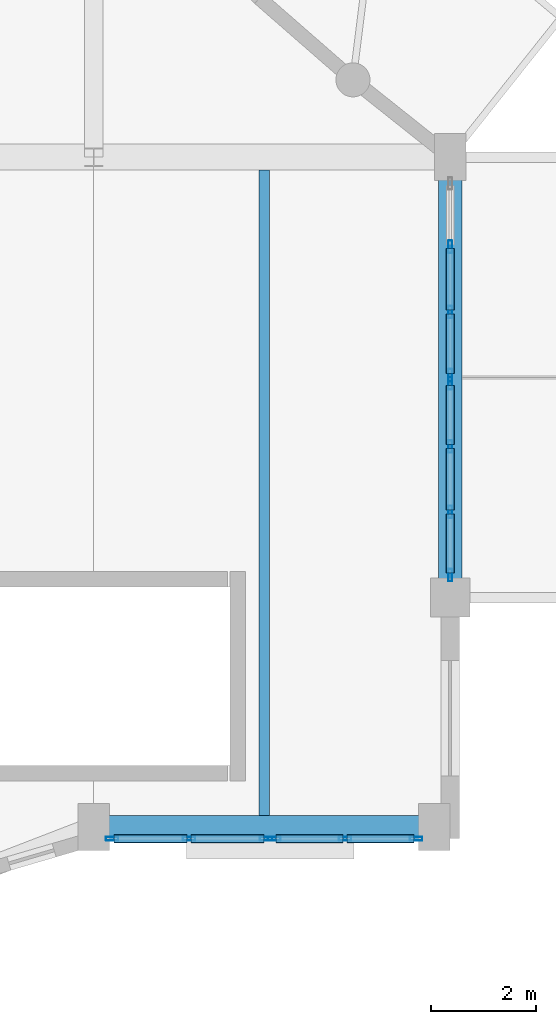
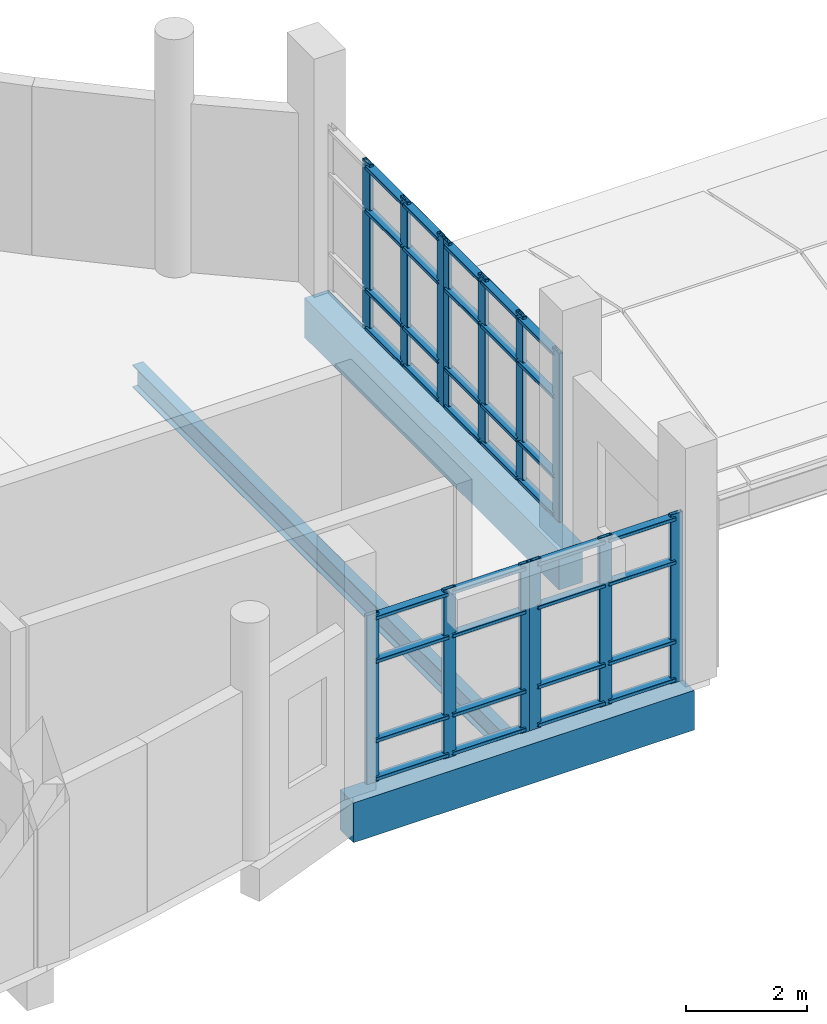
# One storey, part 10 of 106: 49 members, 3 beams, 4 elements without a shape of their own.
"""IFC4 building model written with IfcOpenShell, lengths in metres."""

import ifcopenshell
import ifcopenshell.guid

model = None  # the IFC model being written
_history = None  # IfcOwnerHistory: only IFC2X3 demands one
_inside = {}  # id of a spatial element -> (the spatial element, [elements in it])
_under = {}  # id of a project, library or spatial element -> (it, [spatial elements below it])
_declared = {}  # id of a project -> (the project, [libraries it declares])
_typed = {}  # id of a type object -> (the type object, [elements of that type])
_made_of = {}  # id of a material, layer set ... -> (it, [elements and type objects made of it])


def new_model(schema):
    """Start an empty IFC model of exactly this schema.

    Asked for "IFC4X3", IfcOpenShell would pick the latest addendum, in which some entities
    have other attributes; the version numbers below select the first issue.
    IFC2X3 requires an IfcOwnerHistory on every rooted entity: one is made here for all.
    """
    global model, _history
    if schema == "IFC4X3":
        model = ifcopenshell.file(schema_version=(4, 3, 0, 0))
    else:
        model = ifcopenshell.file(schema=schema)
    _inside.clear()
    _under.clear()
    _declared.clear()
    _typed.clear()
    _made_of.clear()
    _history = None
    if model.schema == "IFC2X3":
        org = make("IfcOrganization", Name="unknown")
        user = make(
            "IfcPersonAndOrganization",
            ThePerson=make("IfcPerson", FamilyName="unknown"),
            TheOrganization=org,
        )
        app = make(
            "IfcApplication",
            ApplicationDeveloper=org,
            Version="unknown",
            ApplicationFullName="unknown",
            ApplicationIdentifier="unknown",
        )
        _history = make(
            "IfcOwnerHistory",
            OwningUser=user,
            OwningApplication=app,
            ChangeAction="ADDED",
            CreationDate=0,
        )
    return model


def make(cls, **values):
    """One entity of the class cls with the attributes given. An attribute that is None is left unset."""
    return model.create_entity(
        cls, **{name: value for name, value in values.items() if value is not None}
    )


def rooted(cls, **values):
    """An entity with a GlobalId (a new one), such as an element, a storey or a relation."""
    return make(cls, GlobalId=ifcopenshell.guid.new(), OwnerHistory=_history, **values)


def si_unit(unit_type, name, prefix=None):
    """IfcSIUnit, for example si_unit("LENGTHUNIT", "METRE", prefix="MILLI")."""
    return make("IfcSIUnit", UnitType=unit_type, Prefix=prefix, Name=name)


def assignment(units):
    """IfcUnitAssignment: the units of a project."""
    return None if units is None else make("IfcUnitAssignment", Units=units)


def point(xyz):
    """IfcCartesianPoint."""
    return None if xyz is None else make("IfcCartesianPoint", Coordinates=xyz)


def direction(xyz):
    """IfcDirection."""
    return None if xyz is None else make("IfcDirection", DirectionRatios=xyz)


def frame(location, z_axis=None, x_axis=None):
    """IfcAxis2Placement3D, a coordinate frame: its origin and axes. An axis left out is left unset."""
    return make(
        "IfcAxis2Placement3D",
        Location=point(location),
        Axis=direction(z_axis),
        RefDirection=direction(x_axis),
    )


def frame_2d(location, x_axis=None):
    """IfcAxis2Placement2D, a coordinate frame in the plane: its origin and x axis."""
    return make(
        "IfcAxis2Placement2D", Location=point(location), RefDirection=direction(x_axis)
    )


def origin():
    """The frame at (0, 0, 0) with its axes left unset."""
    return frame((0.0, 0.0, 0.0))


def origin_2d():
    """The frame at (0, 0) in the plane with its x axis left unset."""
    return frame_2d((0.0, 0.0))


def place(relative_to, where):
    """IfcLocalPlacement: puts the frame where relative to a parent placement (None: the world)."""
    return make(
        "IfcLocalPlacement", PlacementRelTo=relative_to, RelativePlacement=where
    )


def context(
    kind, dimensions, precision=None, world=None, true_north=None, identifier=None
):
    """IfcGeometricRepresentationContext, for example the 3D "Model" context."""
    return make(
        "IfcGeometricRepresentationContext",
        ContextIdentifier=identifier,
        ContextType=kind,
        CoordinateSpaceDimension=dimensions,
        Precision=precision,
        WorldCoordinateSystem=world,
        TrueNorth=true_north,
    )


def subcontext(parent, identifier, kind, view, scale=None):
    """IfcGeometricRepresentationSubContext, for example "Body" below "Model"."""
    return make(
        "IfcGeometricRepresentationSubContext",
        ContextIdentifier=identifier,
        ContextType=kind,
        ParentContext=parent,
        TargetScale=scale,
        TargetView=view,
    )


def project(units=None, contexts=None):
    """IfcProject with its units and contexts."""
    return rooted(
        "IfcProject",
        Name="project",
        RepresentationContexts=contexts,
        UnitsInContext=assignment(units),
    )


def spatial(cls, under=None, at=None, **own):
    """A site, building, storey or space (cls), placed at a placement, below another one or the project."""
    s = rooted(cls, ObjectPlacement=at, **own)
    if under is not None:
        _under.setdefault(under.id(), (under, []))[1].append(s)
    return s


def profile(cls, at=None, kind="AREA", **sizes):
    """A parametric profile (cls). Its sizes go by their IFC names, for example OverallWidth=200.0."""
    return make(cls, ProfileType=kind, Position=at, **sizes)


def rectangle(**sizes):
    """IfcRectangleProfileDef."""
    return profile("IfcRectangleProfileDef", **sizes)


def hollow_rectangle(**sizes):
    """IfcRectangleHollowProfileDef."""
    return profile("IfcRectangleHollowProfileDef", **sizes)


def i_section(**sizes):
    """IfcIShapeProfileDef."""
    return profile("IfcIShapeProfileDef", **sizes)


def extrude(swept, where, along, depth):
    """IfcExtrudedAreaSolid: the profile swept, set in the frame where, extruded along a direction by depth."""
    return make(
        "IfcExtrudedAreaSolid",
        SweptArea=swept,
        Position=where,
        ExtrudedDirection=direction(along),
        Depth=depth,
    )


def shape(context_of_items, identifier, shape_type, items):
    """IfcShapeRepresentation: the items that make up one representation, for example the "Body"."""
    return make(
        "IfcShapeRepresentation",
        ContextOfItems=context_of_items,
        RepresentationIdentifier=identifier,
        RepresentationType=shape_type,
        Items=items,
    )


def material(Name=None, Category=None):
    """IfcMaterial."""
    return make("IfcMaterial", Name=Name, Category=Category)


def layer(
    of_material, thickness, ventilated=None, Name=None, Category=None, Priority=None
):
    """IfcMaterialLayer: one layer of a wall or slab, of a material (None: an air gap)."""
    return make(
        "IfcMaterialLayer",
        Material=of_material,
        LayerThickness=thickness,
        IsVentilated=ventilated,
        Name=Name,
        Category=Category,
        Priority=Priority,
    )


def layer_set(layers, Name=None):
    """IfcMaterialLayerSet."""
    return make("IfcMaterialLayerSet", MaterialLayers=layers, LayerSetName=Name)


def material_profile(
    of_material, cross_section, Name=None, Category=None, Priority=None
):
    """IfcMaterialProfile: a cross section and its material."""
    return make(
        "IfcMaterialProfile",
        Name=Name,
        Material=of_material,
        Profile=cross_section,
        Priority=Priority,
        Category=Category,
    )


def profile_set(profiles, Name=None, composite=None):
    """IfcMaterialProfileSet."""
    return make(
        "IfcMaterialProfileSet",
        Name=Name,
        MaterialProfiles=profiles,
        CompositeProfile=composite,
    )


def made_of(thing, what):
    """Note that an element or type object is made of a material, layer set ...; save() writes the relation."""
    if what is not None:
        _made_of.setdefault(what.id(), (what, []))[1].append(thing)
    return thing


def type_object(cls, material=None, **own):
    """A type object (cls), such as IfcWallType, which elements share."""
    return made_of(rooted(cls, **own), material)


def element(
    cls,
    number,
    at=None,
    inside=None,
    cuts=None,
    type_object=None,
    material=None,
    context=None,
    identifier="Body",
    shape_type=None,
    held_by="IfcProductDefinitionShape",
    body=None,
    shapes=None,
    **own,
):
    """One element of the class cls, such as IfcWall. Its Tag is "e" and its number.

    at: its placement. inside: the storey or other place that contains it. cuts: it is an
    opening in that element (IfcRelVoidsElement). A single representation is given by context,
    identifier, shape_type and body (its items); several are given by shapes. held_by: the class
    of the entity that holds the representations. save() writes the other relations.
    """
    e = rooted(cls, Tag="e%d" % number, ObjectPlacement=at, **own)
    if body is not None:
        shapes = [shape(context, identifier, shape_type, body)]
    if shapes is not None:
        e.Representation = make(held_by, Representations=shapes)
    if inside is not None:
        _inside.setdefault(inside.id(), (inside, []))[1].append(e)
    if cuts is not None:
        rooted(
            "IfcRelVoidsElement", RelatingBuildingElement=cuts, RelatedOpeningElement=e
        )
    if type_object is not None:
        _typed.setdefault(type_object.id(), (type_object, []))[1].append(e)
    return made_of(e, material)


def aggregate(whole, parts):
    """IfcRelAggregates: a whole, such as a stair, and the parts it consists of."""
    return rooted("IfcRelAggregates", RelatingObject=whole, RelatedObjects=parts)


def save(model, path):
    """Write the relations noted so far, then the file.

    IfcRelAggregates (storeys below a building ...), IfcRelContainedInSpatialStructure (elements
    in a storey), IfcRelDefinesByType, IfcRelAssociatesMaterial and IfcRelDeclares: one each for
    every whole, place, type object, material and project.
    """
    for whole, parts in _under.values():
        aggregate(whole, parts)
    for where, things in _inside.values():
        rooted(
            "IfcRelContainedInSpatialStructure",
            RelatedElements=things,
            RelatingStructure=where,
        )
    for kind, things in _typed.values():
        rooted("IfcRelDefinesByType", RelatedObjects=things, RelatingType=kind)
    for what, things in _made_of.values():
        rooted("IfcRelAssociatesMaterial", RelatedObjects=things, RelatingMaterial=what)
    for by, libraries in _declared.values():
        rooted("IfcRelDeclares", RelatingContext=by, RelatedDefinitions=libraries)
    model.write(path)


model = new_model("IFC4")

# Units and contexts
model_context = context("Model", 3, precision=1e-05, world=origin(), true_north=direction((0.0, 1.0)))
body_context = subcontext(model_context, "Body", "Model", "MODEL_VIEW")
ifc_project = project(units=[si_unit("LENGTHUNIT", "METRE"), si_unit("AREAUNIT", "SQUARE_METRE"), si_unit("VOLUMEUNIT", "CUBIC_METRE"), si_unit("PLANEANGLEUNIT", "RADIAN"), si_unit("MASSUNIT", "GRAM", prefix="KILO")], contexts=[model_context])

# Site, building, storey
site_placement = place(None, origin())
site = spatial("IfcSite", under=ifc_project, at=site_placement, CompositionType="ELEMENT")
building_placement = place(site_placement, origin())
building = spatial("IfcBuilding", under=site, at=building_placement, Name="Kisaragi Civic Commons", CompositionType="ELEMENT")
storey_placement = place(building_placement, frame((0.0, 0.0, 4.800048828125)))
storey = spatial("IfcBuildingStorey", under=building, at=storey_placement, Name="L01", CompositionType="ELEMENT", Elevation=4.800048828125)

# Curtain wall, members
ifc_material_1 = material(Name="Thermally broken anodized aluminium and low-E double glazing", Category="aluminium")
ifc_layer = layer(ifc_material_1, 0.2099609375, Name="Thermally broken anodized aluminium and low-E double glazing", Category="aluminium")
ifc_layer_set = layer_set([ifc_layer], Name="Thermally broken anodized aluminium and low-E double glazing")
curtain_wall_type = type_object("IfcCurtainWallType", Name="CW-02", PredefinedType="NOTDEFINED", material=ifc_layer_set)
curtain_wall_1_placement = place(storey_placement, origin())
curtain_wall_1 = element("IfcCurtainWall", 1, at=curtain_wall_1_placement, inside=storey, type_object=curtain_wall_type, Name="L01 curtain wall CW-02 CW-V1-L01-001", PredefinedType="NOTDEFINED")
ifc_material_profile_1 = material_profile(ifc_material_1, hollow_rectangle(XDim=0.074951171875, YDim=0.239990234375, WallThickness=0.006103515625, InnerFilletRadius=0.006103515625, OuterFilletRadius=0.011962890625, at=origin_2d()), Name="CWM-75x240x6", Category="aluminium")
ifc_profile_set_1 = profile_set([ifc_material_profile_1], Name="Thermally broken anodized aluminium and low-E double glazing")
member_type_1 = type_object("IfcMemberType", Name="CWM-04", PredefinedType="MULLION", material=ifc_profile_set_1)
member_1_placement = place(storey_placement, frame((47.60009765625, 15.0908203125, 0.0), z_axis=(0.0, 0.0, 1.0), x_axis=(1.0, 0.0, 0.0)))
member_1 = element("IfcMember", 2, at=member_1_placement, type_object=member_type_1, Name="CW-02 mullion 2", PredefinedType="MULLION", context=body_context, shape_type="SweptSolid", body=[
    extrude(hollow_rectangle(XDim=0.074951171875, YDim=0.239990234375, WallThickness=0.006103515625, InnerFilletRadius=0.006103515625, OuterFilletRadius=0.011962890625, at=origin_2d()), origin(), (0.0, 0.0, 1.0), 3.405029296875),
])
member_2_placement = place(storey_placement, frame((47.60009765625, 13.8466796875, 0.0), z_axis=(0.0, 0.0, 1.0), x_axis=(1.0, 0.0, 0.0)))
member_2 = element("IfcMember", 3, at=member_2_placement, type_object=member_type_1, Name="CW-02 mullion 3", PredefinedType="MULLION", context=body_context, shape_type="SweptSolid", body=[
    extrude(hollow_rectangle(XDim=0.074951171875, YDim=0.239990234375, WallThickness=0.006103515625, InnerFilletRadius=0.006103515625, OuterFilletRadius=0.011962890625, at=origin_2d()), origin(), (0.0, 0.0, 1.0), 3.405029296875),
])
member_3_placement = place(storey_placement, frame((47.60009765625, 12.639892578125, 0.0), z_axis=(0.0, 0.0, 1.0), x_axis=(1.0, 0.0, 0.0)))
member_3 = element("IfcMember", 4, at=member_3_placement, type_object=member_type_1, Name="CW-02 mullion 4", PredefinedType="MULLION", context=body_context, shape_type="SweptSolid", body=[
    extrude(hollow_rectangle(XDim=0.074951171875, YDim=0.239990234375, WallThickness=0.006103515625, InnerFilletRadius=0.006103515625, OuterFilletRadius=0.011962890625, at=origin_2d()), origin(), (0.0, 0.0, 1.0), 3.405029296875),
])

curtain_wall_2_placement = place(storey_placement, origin())
curtain_wall_2 = element("IfcCurtainWall", 5, at=curtain_wall_2_placement, inside=storey, type_object=curtain_wall_type, Name="L01 curtain wall CW-02 CW-V1-L01-002", PredefinedType="NOTDEFINED")
member_4_placement = place(storey_placement, frame((47.60009765625, 12.485107421875, 0.0), z_axis=(0.0, 0.0, 1.0), x_axis=(1.0, 0.0, 0.0)))
member_4 = element("IfcMember", 6, at=member_4_placement, type_object=member_type_1, Name="CW-02 mullion 1", PredefinedType="MULLION", context=body_context, shape_type="SweptSolid", body=[
    extrude(hollow_rectangle(XDim=0.074951171875, YDim=0.239990234375, WallThickness=0.006103515625, InnerFilletRadius=0.006103515625, OuterFilletRadius=0.011962890625, at=origin_2d()), origin(), (0.0, 0.0, 1.0), 3.405029296875),
])
member_5_placement = place(storey_placement, frame((47.60009765625, 11.2783203125, 0.0), z_axis=(0.0, 0.0, 1.0), x_axis=(1.0, 0.0, 0.0)))
member_5 = element("IfcMember", 7, at=member_5_placement, type_object=member_type_1, Name="CW-02 mullion 2", PredefinedType="MULLION", context=body_context, shape_type="SweptSolid", body=[
    extrude(hollow_rectangle(XDim=0.074951171875, YDim=0.239990234375, WallThickness=0.006103515625, InnerFilletRadius=0.006103515625, OuterFilletRadius=0.011962890625, at=origin_2d()), origin(), (0.0, 0.0, 1.0), 3.405029296875),
])
member_6_placement = place(storey_placement, frame((47.60009765625, 10.0341796875, 0.0), z_axis=(0.0, 0.0, 1.0), x_axis=(1.0, 0.0, 0.0)))
member_6 = element("IfcMember", 8, at=member_6_placement, type_object=member_type_1, Name="CW-02 mullion 3", PredefinedType="MULLION", context=body_context, shape_type="SweptSolid", body=[
    extrude(hollow_rectangle(XDim=0.074951171875, YDim=0.239990234375, WallThickness=0.006103515625, InnerFilletRadius=0.006103515625, OuterFilletRadius=0.011962890625, at=origin_2d()), origin(), (0.0, 0.0, 1.0), 3.405029296875),
])
member_7_placement = place(storey_placement, frame((47.60009765625, 8.827392578125, 0.0), z_axis=(0.0, 0.0, 1.0), x_axis=(1.0, 0.0, 0.0)))
member_7 = element("IfcMember", 9, at=member_7_placement, type_object=member_type_1, Name="CW-02 mullion 4", PredefinedType="MULLION", context=body_context, shape_type="SweptSolid", body=[
    extrude(hollow_rectangle(XDim=0.074951171875, YDim=0.239990234375, WallThickness=0.006103515625, InnerFilletRadius=0.006103515625, OuterFilletRadius=0.011962890625, at=origin_2d()), origin(), (0.0, 0.0, 1.0), 3.405029296875),
])

curtain_wall_3_placement = place(storey_placement, origin())
curtain_wall_3 = element("IfcCurtainWall", 10, at=curtain_wall_3_placement, inside=storey, type_object=curtain_wall_type, Name="L01 curtain wall CW-02 CW-V1-L01-003", PredefinedType="NOTDEFINED")
member_8_placement = place(storey_placement, frame((46.950439453125, 3.800048828125, 0.0), z_axis=(0.0, 0.0, 1.0), x_axis=(0.0, -1.0, 0.0)))
member_8 = element("IfcMember", 11, at=member_8_placement, type_object=member_type_1, Name="CW-02 mullion 1", PredefinedType="MULLION", context=body_context, shape_type="SweptSolid", body=[
    extrude(hollow_rectangle(XDim=0.074951171875, YDim=0.239990234375, WallThickness=0.006103515625, InnerFilletRadius=0.006103515625, OuterFilletRadius=0.011962890625, at=origin_2d()), origin(), (0.0, 0.0, 1.0), 3.405029296875),
])
member_9_placement = place(storey_placement, frame((45.59765625, 3.800048828125, 0.0), z_axis=(0.0, 0.0, 1.0), x_axis=(0.0, -1.0, 0.0)))
member_9 = element("IfcMember", 12, at=member_9_placement, type_object=member_type_1, Name="CW-02 mullion 2", PredefinedType="MULLION", context=body_context, shape_type="SweptSolid", body=[
    extrude(hollow_rectangle(XDim=0.074951171875, YDim=0.239990234375, WallThickness=0.006103515625, InnerFilletRadius=0.006103515625, OuterFilletRadius=0.011962890625, at=origin_2d()), origin(), (0.0, 0.0, 1.0), 3.405029296875),
])
member_10_placement = place(storey_placement, frame((44.2451171875, 3.800048828125, 0.0), z_axis=(0.0, 0.0, 1.0), x_axis=(0.0, -1.0, 0.0)))
member_10 = element("IfcMember", 13, at=member_10_placement, type_object=member_type_1, Name="CW-02 mullion 3", PredefinedType="MULLION", context=body_context, shape_type="SweptSolid", body=[
    extrude(hollow_rectangle(XDim=0.074951171875, YDim=0.239990234375, WallThickness=0.006103515625, InnerFilletRadius=0.006103515625, OuterFilletRadius=0.011962890625, at=origin_2d()), origin(), (0.0, 0.0, 1.0), 3.405029296875),
])

curtain_wall_4_placement = place(storey_placement, origin())
curtain_wall_4 = element("IfcCurtainWall", 14, at=curtain_wall_4_placement, inside=storey, type_object=curtain_wall_type, Name="L01 curtain wall CW-02 CW-V1-L01-004", PredefinedType="NOTDEFINED")
member_11_placement = place(storey_placement, frame((44.090087890625, 3.800048828125, 0.0), z_axis=(0.0, 0.0, 1.0), x_axis=(0.0, -1.0, 0.0)))
member_11 = element("IfcMember", 15, at=member_11_placement, type_object=member_type_1, Name="CW-02 mullion 1", PredefinedType="MULLION", context=body_context, shape_type="SweptSolid", body=[
    extrude(hollow_rectangle(XDim=0.074951171875, YDim=0.239990234375, WallThickness=0.006103515625, InnerFilletRadius=0.006103515625, OuterFilletRadius=0.011962890625, at=origin_2d()), origin(), (0.0, 0.0, 1.0), 3.405029296875),
])
member_12_placement = place(storey_placement, frame((42.621337890625, 3.800048828125, 0.0), z_axis=(0.0, 0.0, 1.0), x_axis=(0.0, -1.0, 0.0)))
member_12 = element("IfcMember", 16, at=member_12_placement, type_object=member_type_1, Name="CW-02 mullion 2", PredefinedType="MULLION", context=body_context, shape_type="SweptSolid", body=[
    extrude(hollow_rectangle(XDim=0.074951171875, YDim=0.239990234375, WallThickness=0.006103515625, InnerFilletRadius=0.006103515625, OuterFilletRadius=0.011962890625, at=origin_2d()), origin(), (0.0, 0.0, 1.0), 3.405029296875),
])
member_13_placement = place(storey_placement, frame((41.152587890625, 3.800048828125, 0.0), z_axis=(0.0, 0.0, 1.0), x_axis=(0.0, -1.0, 0.0)))
member_13 = element("IfcMember", 17, at=member_13_placement, type_object=member_type_1, Name="CW-02 mullion 3", PredefinedType="MULLION", context=body_context, shape_type="SweptSolid", body=[
    extrude(hollow_rectangle(XDim=0.074951171875, YDim=0.239990234375, WallThickness=0.006103515625, InnerFilletRadius=0.006103515625, OuterFilletRadius=0.011962890625, at=origin_2d()), origin(), (0.0, 0.0, 1.0), 3.405029296875),
])

# Member
ifc_material_profile_2 = material_profile(ifc_material_1, hollow_rectangle(XDim=0.159912109375, YDim=0.070068359375, WallThickness=0.0048828125, InnerFilletRadius=0.0048828125, OuterFilletRadius=0.010009765625, at=origin_2d()), Name="CWT-70x160x5", Category="aluminium")
ifc_profile_set_2 = profile_set([ifc_material_profile_2], Name="Thermally broken anodized aluminium and low-E double glazing")
member_type_2 = type_object("IfcMemberType", Name="CWT-03", PredefinedType="USERDEFINED", material=ifc_profile_set_2)
member_14_placement = place(storey_placement, frame((47.60009765625, 15.05322265625, 0.079833984375), z_axis=(0.0, -1.0, 0.0), x_axis=(1.0, 0.0, 0.0)))
member_14 = element("IfcMember", 18, at=member_14_placement, type_object=member_type_2, Name="CW-02 transom 2.1", ObjectType="TRANSOM", PredefinedType="USERDEFINED", context=body_context, shape_type="SweptSolid", body=[
    extrude(hollow_rectangle(XDim=0.159912109375, YDim=0.070068359375, WallThickness=0.0048828125, InnerFilletRadius=0.0048828125, OuterFilletRadius=0.010009765625, at=origin_2d()), origin(), (0.0, 0.0, 1.0), 1.1689453125),
])

member_15_placement = place(storey_placement, frame((47.60009765625, 15.05322265625, 0.849853515625), z_axis=(0.0, -1.0, 0.0), x_axis=(1.0, 0.0, 0.0)))
member_15 = element("IfcMember", 19, at=member_15_placement, type_object=member_type_2, Name="CW-02 transom 2.2", ObjectType="TRANSOM", PredefinedType="USERDEFINED", context=body_context, shape_type="SweptSolid", body=[
    extrude(hollow_rectangle(XDim=0.159912109375, YDim=0.070068359375, WallThickness=0.0048828125, InnerFilletRadius=0.0048828125, OuterFilletRadius=0.010009765625, at=origin_2d()), origin(), (0.0, 0.0, 1.0), 1.1689453125),
])

member_16_placement = place(storey_placement, frame((47.60009765625, 15.05322265625, 2.449951171875), z_axis=(0.0, -1.0, 0.0), x_axis=(1.0, 0.0, 0.0)))
member_16 = element("IfcMember", 20, at=member_16_placement, type_object=member_type_2, Name="CW-02 transom 2.3", ObjectType="TRANSOM", PredefinedType="USERDEFINED", context=body_context, shape_type="SweptSolid", body=[
    extrude(hollow_rectangle(XDim=0.159912109375, YDim=0.070068359375, WallThickness=0.0048828125, InnerFilletRadius=0.0048828125, OuterFilletRadius=0.010009765625, at=origin_2d()), origin(), (0.0, 0.0, 1.0), 1.1689453125),
])

member_17_placement = place(storey_placement, frame((47.60009765625, 15.05322265625, 3.324951171875), z_axis=(0.0, -1.0, 0.0), x_axis=(1.0, 0.0, 0.0)))
member_17 = element("IfcMember", 21, at=member_17_placement, type_object=member_type_2, Name="CW-02 transom 2.4", ObjectType="TRANSOM", PredefinedType="USERDEFINED", context=body_context, shape_type="SweptSolid", body=[
    extrude(hollow_rectangle(XDim=0.159912109375, YDim=0.070068359375, WallThickness=0.0048828125, InnerFilletRadius=0.0048828125, OuterFilletRadius=0.010009765625, at=origin_2d()), origin(), (0.0, 0.0, 1.0), 1.1689453125),
])

member_18_placement = place(storey_placement, frame((47.60009765625, 13.80908203125, 0.079833984375), z_axis=(0.0, -1.0, 0.0), x_axis=(1.0, 0.0, 0.0)))
member_18 = element("IfcMember", 22, at=member_18_placement, type_object=member_type_2, Name="CW-02 transom 3.1", ObjectType="TRANSOM", PredefinedType="USERDEFINED", context=body_context, shape_type="SweptSolid", body=[
    extrude(hollow_rectangle(XDim=0.159912109375, YDim=0.070068359375, WallThickness=0.0048828125, InnerFilletRadius=0.0048828125, OuterFilletRadius=0.010009765625, at=origin_2d()), origin(), (0.0, 0.0, 1.0), 1.131591796875),
])

member_19_placement = place(storey_placement, frame((47.60009765625, 13.80908203125, 0.849853515625), z_axis=(0.0, -1.0, 0.0), x_axis=(1.0, 0.0, 0.0)))
member_19 = element("IfcMember", 23, at=member_19_placement, type_object=member_type_2, Name="CW-02 transom 3.2", ObjectType="TRANSOM", PredefinedType="USERDEFINED", context=body_context, shape_type="SweptSolid", body=[
    extrude(hollow_rectangle(XDim=0.159912109375, YDim=0.070068359375, WallThickness=0.0048828125, InnerFilletRadius=0.0048828125, OuterFilletRadius=0.010009765625, at=origin_2d()), origin(), (0.0, 0.0, 1.0), 1.131591796875),
])

member_20_placement = place(storey_placement, frame((47.60009765625, 13.80908203125, 2.449951171875), z_axis=(0.0, -1.0, 0.0), x_axis=(1.0, 0.0, 0.0)))
member_20 = element("IfcMember", 24, at=member_20_placement, type_object=member_type_2, Name="CW-02 transom 3.3", ObjectType="TRANSOM", PredefinedType="USERDEFINED", context=body_context, shape_type="SweptSolid", body=[
    extrude(hollow_rectangle(XDim=0.159912109375, YDim=0.070068359375, WallThickness=0.0048828125, InnerFilletRadius=0.0048828125, OuterFilletRadius=0.010009765625, at=origin_2d()), origin(), (0.0, 0.0, 1.0), 1.131591796875),
])

member_21_placement = place(storey_placement, frame((47.60009765625, 13.80908203125, 3.324951171875), z_axis=(0.0, -1.0, 0.0), x_axis=(1.0, 0.0, 0.0)))
member_21 = element("IfcMember", 25, at=member_21_placement, type_object=member_type_2, Name="CW-02 transom 3.4", ObjectType="TRANSOM", PredefinedType="USERDEFINED", context=body_context, shape_type="SweptSolid", body=[
    extrude(hollow_rectangle(XDim=0.159912109375, YDim=0.070068359375, WallThickness=0.0048828125, InnerFilletRadius=0.0048828125, OuterFilletRadius=0.010009765625, at=origin_2d()), origin(), (0.0, 0.0, 1.0), 1.131591796875),
])

aggregate(curtain_wall_1, [member_1, member_2, member_3, member_14, member_15, member_16, member_17, member_18, member_19, member_20, member_21])

member_22_placement = place(storey_placement, frame((47.60009765625, 12.447509765625, 0.079833984375), z_axis=(0.0, -1.0, 0.0), x_axis=(1.0, 0.0, 0.0)))
member_22 = element("IfcMember", 26, at=member_22_placement, type_object=member_type_2, Name="CW-02 transom 1.1", ObjectType="TRANSOM", PredefinedType="USERDEFINED", context=body_context, shape_type="SweptSolid", body=[
    extrude(hollow_rectangle(XDim=0.159912109375, YDim=0.070068359375, WallThickness=0.0048828125, InnerFilletRadius=0.0048828125, OuterFilletRadius=0.010009765625, at=origin_2d()), origin(), (0.0, 0.0, 1.0), 1.131591796875),
])

member_23_placement = place(storey_placement, frame((47.60009765625, 12.447509765625, 0.849853515625), z_axis=(0.0, -1.0, 0.0), x_axis=(1.0, 0.0, 0.0)))
member_23 = element("IfcMember", 27, at=member_23_placement, type_object=member_type_2, Name="CW-02 transom 1.2", ObjectType="TRANSOM", PredefinedType="USERDEFINED", context=body_context, shape_type="SweptSolid", body=[
    extrude(hollow_rectangle(XDim=0.159912109375, YDim=0.070068359375, WallThickness=0.0048828125, InnerFilletRadius=0.0048828125, OuterFilletRadius=0.010009765625, at=origin_2d()), origin(), (0.0, 0.0, 1.0), 1.131591796875),
])

member_24_placement = place(storey_placement, frame((47.60009765625, 12.447509765625, 2.449951171875), z_axis=(0.0, -1.0, 0.0), x_axis=(1.0, 0.0, 0.0)))
member_24 = element("IfcMember", 28, at=member_24_placement, type_object=member_type_2, Name="CW-02 transom 1.3", ObjectType="TRANSOM", PredefinedType="USERDEFINED", context=body_context, shape_type="SweptSolid", body=[
    extrude(hollow_rectangle(XDim=0.159912109375, YDim=0.070068359375, WallThickness=0.0048828125, InnerFilletRadius=0.0048828125, OuterFilletRadius=0.010009765625, at=origin_2d()), origin(), (0.0, 0.0, 1.0), 1.131591796875),
])

member_25_placement = place(storey_placement, frame((47.60009765625, 12.447509765625, 3.324951171875), z_axis=(0.0, -1.0, 0.0), x_axis=(1.0, 0.0, 0.0)))
member_25 = element("IfcMember", 29, at=member_25_placement, type_object=member_type_2, Name="CW-02 transom 1.4", ObjectType="TRANSOM", PredefinedType="USERDEFINED", context=body_context, shape_type="SweptSolid", body=[
    extrude(hollow_rectangle(XDim=0.159912109375, YDim=0.070068359375, WallThickness=0.0048828125, InnerFilletRadius=0.0048828125, OuterFilletRadius=0.010009765625, at=origin_2d()), origin(), (0.0, 0.0, 1.0), 1.131591796875),
])

member_26_placement = place(storey_placement, frame((47.60009765625, 11.24072265625, 0.079833984375), z_axis=(0.0, -1.0, 0.0), x_axis=(1.0, 0.0, 0.0)))
member_26 = element("IfcMember", 30, at=member_26_placement, type_object=member_type_2, Name="CW-02 transom 2.1", ObjectType="TRANSOM", PredefinedType="USERDEFINED", context=body_context, shape_type="SweptSolid", body=[
    extrude(hollow_rectangle(XDim=0.159912109375, YDim=0.070068359375, WallThickness=0.0048828125, InnerFilletRadius=0.0048828125, OuterFilletRadius=0.010009765625, at=origin_2d()), origin(), (0.0, 0.0, 1.0), 1.1689453125),
])

member_27_placement = place(storey_placement, frame((47.60009765625, 11.24072265625, 0.849853515625), z_axis=(0.0, -1.0, 0.0), x_axis=(1.0, 0.0, 0.0)))
member_27 = element("IfcMember", 31, at=member_27_placement, type_object=member_type_2, Name="CW-02 transom 2.2", ObjectType="TRANSOM", PredefinedType="USERDEFINED", context=body_context, shape_type="SweptSolid", body=[
    extrude(hollow_rectangle(XDim=0.159912109375, YDim=0.070068359375, WallThickness=0.0048828125, InnerFilletRadius=0.0048828125, OuterFilletRadius=0.010009765625, at=origin_2d()), origin(), (0.0, 0.0, 1.0), 1.1689453125),
])

member_28_placement = place(storey_placement, frame((47.60009765625, 11.24072265625, 2.449951171875), z_axis=(0.0, -1.0, 0.0), x_axis=(1.0, 0.0, 0.0)))
member_28 = element("IfcMember", 32, at=member_28_placement, type_object=member_type_2, Name="CW-02 transom 2.3", ObjectType="TRANSOM", PredefinedType="USERDEFINED", context=body_context, shape_type="SweptSolid", body=[
    extrude(hollow_rectangle(XDim=0.159912109375, YDim=0.070068359375, WallThickness=0.0048828125, InnerFilletRadius=0.0048828125, OuterFilletRadius=0.010009765625, at=origin_2d()), origin(), (0.0, 0.0, 1.0), 1.1689453125),
])

member_29_placement = place(storey_placement, frame((47.60009765625, 11.24072265625, 3.324951171875), z_axis=(0.0, -1.0, 0.0), x_axis=(1.0, 0.0, 0.0)))
member_29 = element("IfcMember", 33, at=member_29_placement, type_object=member_type_2, Name="CW-02 transom 2.4", ObjectType="TRANSOM", PredefinedType="USERDEFINED", context=body_context, shape_type="SweptSolid", body=[
    extrude(hollow_rectangle(XDim=0.159912109375, YDim=0.070068359375, WallThickness=0.0048828125, InnerFilletRadius=0.0048828125, OuterFilletRadius=0.010009765625, at=origin_2d()), origin(), (0.0, 0.0, 1.0), 1.1689453125),
])

member_30_placement = place(storey_placement, frame((47.60009765625, 9.99658203125, 0.079833984375), z_axis=(0.0, -1.0, 0.0), x_axis=(1.0, 0.0, 0.0)))
member_30 = element("IfcMember", 34, at=member_30_placement, type_object=member_type_2, Name="CW-02 transom 3.1", ObjectType="TRANSOM", PredefinedType="USERDEFINED", context=body_context, shape_type="SweptSolid", body=[
    extrude(hollow_rectangle(XDim=0.159912109375, YDim=0.070068359375, WallThickness=0.0048828125, InnerFilletRadius=0.0048828125, OuterFilletRadius=0.010009765625, at=origin_2d()), origin(), (0.0, 0.0, 1.0), 1.131591796875),
])

member_31_placement = place(storey_placement, frame((47.60009765625, 9.99658203125, 0.849853515625), z_axis=(0.0, -1.0, 0.0), x_axis=(1.0, 0.0, 0.0)))
member_31 = element("IfcMember", 35, at=member_31_placement, type_object=member_type_2, Name="CW-02 transom 3.2", ObjectType="TRANSOM", PredefinedType="USERDEFINED", context=body_context, shape_type="SweptSolid", body=[
    extrude(hollow_rectangle(XDim=0.159912109375, YDim=0.070068359375, WallThickness=0.0048828125, InnerFilletRadius=0.0048828125, OuterFilletRadius=0.010009765625, at=origin_2d()), origin(), (0.0, 0.0, 1.0), 1.131591796875),
])

member_32_placement = place(storey_placement, frame((47.60009765625, 9.99658203125, 2.449951171875), z_axis=(0.0, -1.0, 0.0), x_axis=(1.0, 0.0, 0.0)))
member_32 = element("IfcMember", 36, at=member_32_placement, type_object=member_type_2, Name="CW-02 transom 3.3", ObjectType="TRANSOM", PredefinedType="USERDEFINED", context=body_context, shape_type="SweptSolid", body=[
    extrude(hollow_rectangle(XDim=0.159912109375, YDim=0.070068359375, WallThickness=0.0048828125, InnerFilletRadius=0.0048828125, OuterFilletRadius=0.010009765625, at=origin_2d()), origin(), (0.0, 0.0, 1.0), 1.131591796875),
])

member_33_placement = place(storey_placement, frame((47.60009765625, 9.99658203125, 3.324951171875), z_axis=(0.0, -1.0, 0.0), x_axis=(1.0, 0.0, 0.0)))
member_33 = element("IfcMember", 37, at=member_33_placement, type_object=member_type_2, Name="CW-02 transom 3.4", ObjectType="TRANSOM", PredefinedType="USERDEFINED", context=body_context, shape_type="SweptSolid", body=[
    extrude(hollow_rectangle(XDim=0.159912109375, YDim=0.070068359375, WallThickness=0.0048828125, InnerFilletRadius=0.0048828125, OuterFilletRadius=0.010009765625, at=origin_2d()), origin(), (0.0, 0.0, 1.0), 1.131591796875),
])

aggregate(curtain_wall_2, [member_4, member_5, member_6, member_7, member_22, member_23, member_24, member_25, member_26, member_27, member_28, member_29, member_30, member_31, member_32, member_33])

member_34_placement = place(storey_placement, frame((46.9130859375, 3.800048828125, 0.079833984375), z_axis=(-1.0, 0.0, 0.0), x_axis=(0.0, -1.0, 0.0)))
member_34 = element("IfcMember", 38, at=member_34_placement, type_object=member_type_2, Name="CW-02 transom 1.1", ObjectType="TRANSOM", PredefinedType="USERDEFINED", context=body_context, shape_type="SweptSolid", body=[
    extrude(hollow_rectangle(XDim=0.159912109375, YDim=0.070068359375, WallThickness=0.0048828125, InnerFilletRadius=0.0048828125, OuterFilletRadius=0.010009765625, at=origin_2d()), origin(), (0.0, 0.0, 1.0), 1.27783203125),
])

member_35_placement = place(storey_placement, frame((46.9130859375, 3.800048828125, 0.849853515625), z_axis=(-1.0, 0.0, 0.0), x_axis=(0.0, -1.0, 0.0)))
member_35 = element("IfcMember", 39, at=member_35_placement, type_object=member_type_2, Name="CW-02 transom 1.2", ObjectType="TRANSOM", PredefinedType="USERDEFINED", context=body_context, shape_type="SweptSolid", body=[
    extrude(hollow_rectangle(XDim=0.159912109375, YDim=0.070068359375, WallThickness=0.0048828125, InnerFilletRadius=0.0048828125, OuterFilletRadius=0.010009765625, at=origin_2d()), origin(), (0.0, 0.0, 1.0), 1.27783203125),
])

member_36_placement = place(storey_placement, frame((46.9130859375, 3.800048828125, 2.449951171875), z_axis=(-1.0, 0.0, 0.0), x_axis=(0.0, -1.0, 0.0)))
member_36 = element("IfcMember", 40, at=member_36_placement, type_object=member_type_2, Name="CW-02 transom 1.3", ObjectType="TRANSOM", PredefinedType="USERDEFINED", context=body_context, shape_type="SweptSolid", body=[
    extrude(hollow_rectangle(XDim=0.159912109375, YDim=0.070068359375, WallThickness=0.0048828125, InnerFilletRadius=0.0048828125, OuterFilletRadius=0.010009765625, at=origin_2d()), origin(), (0.0, 0.0, 1.0), 1.27783203125),
])

member_37_placement = place(storey_placement, frame((46.9130859375, 3.800048828125, 3.324951171875), z_axis=(-1.0, 0.0, 0.0), x_axis=(0.0, -1.0, 0.0)))
member_37 = element("IfcMember", 41, at=member_37_placement, type_object=member_type_2, Name="CW-02 transom 1.4", ObjectType="TRANSOM", PredefinedType="USERDEFINED", context=body_context, shape_type="SweptSolid", body=[
    extrude(hollow_rectangle(XDim=0.159912109375, YDim=0.070068359375, WallThickness=0.0048828125, InnerFilletRadius=0.0048828125, OuterFilletRadius=0.010009765625, at=origin_2d()), origin(), (0.0, 0.0, 1.0), 1.27783203125),
])

member_38_placement = place(storey_placement, frame((45.560302734375, 3.800048828125, 0.079833984375), z_axis=(-1.0, 0.0, 0.0), x_axis=(0.0, -1.0, 0.0)))
member_38 = element("IfcMember", 42, at=member_38_placement, type_object=member_type_2, Name="CW-02 transom 2.1", ObjectType="TRANSOM", PredefinedType="USERDEFINED", context=body_context, shape_type="SweptSolid", body=[
    extrude(hollow_rectangle(XDim=0.159912109375, YDim=0.070068359375, WallThickness=0.0048828125, InnerFilletRadius=0.0048828125, OuterFilletRadius=0.010009765625, at=origin_2d()), origin(), (0.0, 0.0, 1.0), 1.27783203125),
])

member_39_placement = place(storey_placement, frame((45.560302734375, 3.800048828125, 0.849853515625), z_axis=(-1.0, 0.0, 0.0), x_axis=(0.0, -1.0, 0.0)))
member_39 = element("IfcMember", 43, at=member_39_placement, type_object=member_type_2, Name="CW-02 transom 2.2", ObjectType="TRANSOM", PredefinedType="USERDEFINED", context=body_context, shape_type="SweptSolid", body=[
    extrude(hollow_rectangle(XDim=0.159912109375, YDim=0.070068359375, WallThickness=0.0048828125, InnerFilletRadius=0.0048828125, OuterFilletRadius=0.010009765625, at=origin_2d()), origin(), (0.0, 0.0, 1.0), 1.27783203125),
])

member_40_placement = place(storey_placement, frame((45.560302734375, 3.800048828125, 2.449951171875), z_axis=(-1.0, 0.0, 0.0), x_axis=(0.0, -1.0, 0.0)))
member_40 = element("IfcMember", 44, at=member_40_placement, type_object=member_type_2, Name="CW-02 transom 2.3", ObjectType="TRANSOM", PredefinedType="USERDEFINED", context=body_context, shape_type="SweptSolid", body=[
    extrude(hollow_rectangle(XDim=0.159912109375, YDim=0.070068359375, WallThickness=0.0048828125, InnerFilletRadius=0.0048828125, OuterFilletRadius=0.010009765625, at=origin_2d()), origin(), (0.0, 0.0, 1.0), 1.27783203125),
])

member_41_placement = place(storey_placement, frame((45.560302734375, 3.800048828125, 3.324951171875), z_axis=(-1.0, 0.0, 0.0), x_axis=(0.0, -1.0, 0.0)))
member_41 = element("IfcMember", 45, at=member_41_placement, type_object=member_type_2, Name="CW-02 transom 2.4", ObjectType="TRANSOM", PredefinedType="USERDEFINED", context=body_context, shape_type="SweptSolid", body=[
    extrude(hollow_rectangle(XDim=0.159912109375, YDim=0.070068359375, WallThickness=0.0048828125, InnerFilletRadius=0.0048828125, OuterFilletRadius=0.010009765625, at=origin_2d()), origin(), (0.0, 0.0, 1.0), 1.27783203125),
])

aggregate(curtain_wall_3, [member_8, member_9, member_10, member_34, member_35, member_36, member_37, member_38, member_39, member_40, member_41])

member_42_placement = place(storey_placement, frame((44.052490234375, 3.800048828125, 0.079833984375), z_axis=(-1.0, 0.0, 0.0), x_axis=(0.0, -1.0, 0.0)))
member_42 = element("IfcMember", 46, at=member_42_placement, type_object=member_type_2, Name="CW-02 transom 1.1", ObjectType="TRANSOM", PredefinedType="USERDEFINED", context=body_context, shape_type="SweptSolid", body=[
    extrude(hollow_rectangle(XDim=0.159912109375, YDim=0.070068359375, WallThickness=0.0048828125, InnerFilletRadius=0.0048828125, OuterFilletRadius=0.010009765625, at=origin_2d()), origin(), (0.0, 0.0, 1.0), 1.393798828125),
])

member_43_placement = place(storey_placement, frame((44.052490234375, 3.800048828125, 0.849853515625), z_axis=(-1.0, 0.0, 0.0), x_axis=(0.0, -1.0, 0.0)))
member_43 = element("IfcMember", 47, at=member_43_placement, type_object=member_type_2, Name="CW-02 transom 1.2", ObjectType="TRANSOM", PredefinedType="USERDEFINED", context=body_context, shape_type="SweptSolid", body=[
    extrude(hollow_rectangle(XDim=0.159912109375, YDim=0.070068359375, WallThickness=0.0048828125, InnerFilletRadius=0.0048828125, OuterFilletRadius=0.010009765625, at=origin_2d()), origin(), (0.0, 0.0, 1.0), 1.393798828125),
])

member_44_placement = place(storey_placement, frame((44.052490234375, 3.800048828125, 2.449951171875), z_axis=(-1.0, 0.0, 0.0), x_axis=(0.0, -1.0, 0.0)))
member_44 = element("IfcMember", 48, at=member_44_placement, type_object=member_type_2, Name="CW-02 transom 1.3", ObjectType="TRANSOM", PredefinedType="USERDEFINED", context=body_context, shape_type="SweptSolid", body=[
    extrude(hollow_rectangle(XDim=0.159912109375, YDim=0.070068359375, WallThickness=0.0048828125, InnerFilletRadius=0.0048828125, OuterFilletRadius=0.010009765625, at=origin_2d()), origin(), (0.0, 0.0, 1.0), 1.393798828125),
])

member_45_placement = place(storey_placement, frame((44.052490234375, 3.800048828125, 3.324951171875), z_axis=(-1.0, 0.0, 0.0), x_axis=(0.0, -1.0, 0.0)))
member_45 = element("IfcMember", 49, at=member_45_placement, type_object=member_type_2, Name="CW-02 transom 1.4", ObjectType="TRANSOM", PredefinedType="USERDEFINED", context=body_context, shape_type="SweptSolid", body=[
    extrude(hollow_rectangle(XDim=0.159912109375, YDim=0.070068359375, WallThickness=0.0048828125, InnerFilletRadius=0.0048828125, OuterFilletRadius=0.010009765625, at=origin_2d()), origin(), (0.0, 0.0, 1.0), 1.393798828125),
])

member_46_placement = place(storey_placement, frame((42.583740234375, 3.800048828125, 0.079833984375), z_axis=(-1.0, 0.0, 0.0), x_axis=(0.0, -1.0, 0.0)))
member_46 = element("IfcMember", 50, at=member_46_placement, type_object=member_type_2, Name="CW-02 transom 2.1", ObjectType="TRANSOM", PredefinedType="USERDEFINED", context=body_context, shape_type="SweptSolid", body=[
    extrude(hollow_rectangle(XDim=0.159912109375, YDim=0.070068359375, WallThickness=0.0048828125, InnerFilletRadius=0.0048828125, OuterFilletRadius=0.010009765625, at=origin_2d()), origin(), (0.0, 0.0, 1.0), 1.393798828125),
])

member_47_placement = place(storey_placement, frame((42.583740234375, 3.800048828125, 0.849853515625), z_axis=(-1.0, 0.0, 0.0), x_axis=(0.0, -1.0, 0.0)))
member_47 = element("IfcMember", 51, at=member_47_placement, type_object=member_type_2, Name="CW-02 transom 2.2", ObjectType="TRANSOM", PredefinedType="USERDEFINED", context=body_context, shape_type="SweptSolid", body=[
    extrude(hollow_rectangle(XDim=0.159912109375, YDim=0.070068359375, WallThickness=0.0048828125, InnerFilletRadius=0.0048828125, OuterFilletRadius=0.010009765625, at=origin_2d()), origin(), (0.0, 0.0, 1.0), 1.393798828125),
])

member_48_placement = place(storey_placement, frame((42.583740234375, 3.800048828125, 2.449951171875), z_axis=(-1.0, 0.0, 0.0), x_axis=(0.0, -1.0, 0.0)))
member_48 = element("IfcMember", 52, at=member_48_placement, type_object=member_type_2, Name="CW-02 transom 2.3", ObjectType="TRANSOM", PredefinedType="USERDEFINED", context=body_context, shape_type="SweptSolid", body=[
    extrude(hollow_rectangle(XDim=0.159912109375, YDim=0.070068359375, WallThickness=0.0048828125, InnerFilletRadius=0.0048828125, OuterFilletRadius=0.010009765625, at=origin_2d()), origin(), (0.0, 0.0, 1.0), 1.393798828125),
])

member_49_placement = place(storey_placement, frame((42.583740234375, 3.800048828125, 3.324951171875), z_axis=(-1.0, 0.0, 0.0), x_axis=(0.0, -1.0, 0.0)))
member_49 = element("IfcMember", 53, at=member_49_placement, type_object=member_type_2, Name="CW-02 transom 2.4", ObjectType="TRANSOM", PredefinedType="USERDEFINED", context=body_context, shape_type="SweptSolid", body=[
    extrude(hollow_rectangle(XDim=0.159912109375, YDim=0.070068359375, WallThickness=0.0048828125, InnerFilletRadius=0.0048828125, OuterFilletRadius=0.010009765625, at=origin_2d()), origin(), (0.0, 0.0, 1.0), 1.393798828125),
])

aggregate(curtain_wall_4, [member_11, member_12, member_13, member_42, member_43, member_44, member_45, member_46, member_47, member_48, member_49])

# Beams
ifc_material_2 = material(Name="Steel SN490 (SN490B)", Category="steel")
ifc_material_profile_3 = material_profile(ifc_material_2, i_section(OverallWidth=0.199951171875, OverallDepth=0.449951171875, WebThickness=0.009033203125, FlangeThickness=0.013916015625, FilletRadius=0.012939453125, at=origin_2d()), Name="H-450x200x9x14", Category="steel")
ifc_profile_set_3 = profile_set([ifc_material_profile_3], Name="Steel SN490 (SN490B)")
beam_type_1 = type_object("IfcBeamType", Name="J-04", PredefinedType="JOIST", material=ifc_profile_set_3)
beam_1_placement = place(storey_placement, frame((44.050048828125, 4.2451171875, -0.530029296875), z_axis=(0.0, 1.0, 0.0), x_axis=(-1.0, 0.0, 0.0)))
element("IfcBeam", 54, at=beam_1_placement, inside=storey, type_object=beam_type_1, Name="L01 secondary steel joist J-04 40", PredefinedType="JOIST", context=body_context, shape_type="SweptSolid", body=[
    extrude(i_section(OverallWidth=0.199951171875, OverallDepth=0.449951171875, WebThickness=0.009033203125, FlangeThickness=0.013916015625, FilletRadius=0.012939453125, at=origin_2d()), origin(), (0.0, 0.0, 1.0), 12.304931640625),
])
ifc_material_3 = material(Name="Concrete Fc30", Category="concrete")
ifc_material_profile_4 = material_profile(ifc_material_3, rectangle(XDim=0.449951171875, YDim=0.800048828125, at=origin_2d()), Name="RC-450x800", Category="concrete")
ifc_profile_set_4 = profile_set([ifc_material_profile_4], Name="Concrete Fc30")
beam_type_2 = type_object("IfcBeamType", Name="SPB-01", PredefinedType="SPANDREL", material=ifc_profile_set_4)
beam_2_placement = place(storey_placement, frame((40.800048828125, 4.02001953125, -0.705078125), z_axis=(1.0, 0.0, 0.0), x_axis=(0.0, 1.0, 0.0)))
element("IfcBeam", 55, at=beam_2_placement, inside=storey, type_object=beam_type_2, Name="L01 girder SPB-01 133", PredefinedType="SPANDREL", context=body_context, shape_type="SweptSolid", body=[
    extrude(rectangle(XDim=0.449951171875, YDim=0.800048828125, at=origin_2d()), origin(), (0.0, 0.0, 1.0), 6.5),
])
beam_3_placement = place(storey_placement, frame((47.60009765625, 8.39990234375, -0.705078125), z_axis=(0.0, 1.0, 0.0), x_axis=(-1.0, 0.0, 0.0)))
element("IfcBeam", 56, at=beam_3_placement, inside=storey, type_object=beam_type_2, Name="L01 girder SPB-01 159", PredefinedType="SPANDREL", context=body_context, shape_type="SweptSolid", body=[
    extrude(rectangle(XDim=0.449951171875, YDim=0.800048828125, at=origin_2d()), origin(), (0.0, 0.0, 1.0), 8.400146484375),
])

save(model, "model.ifc")
